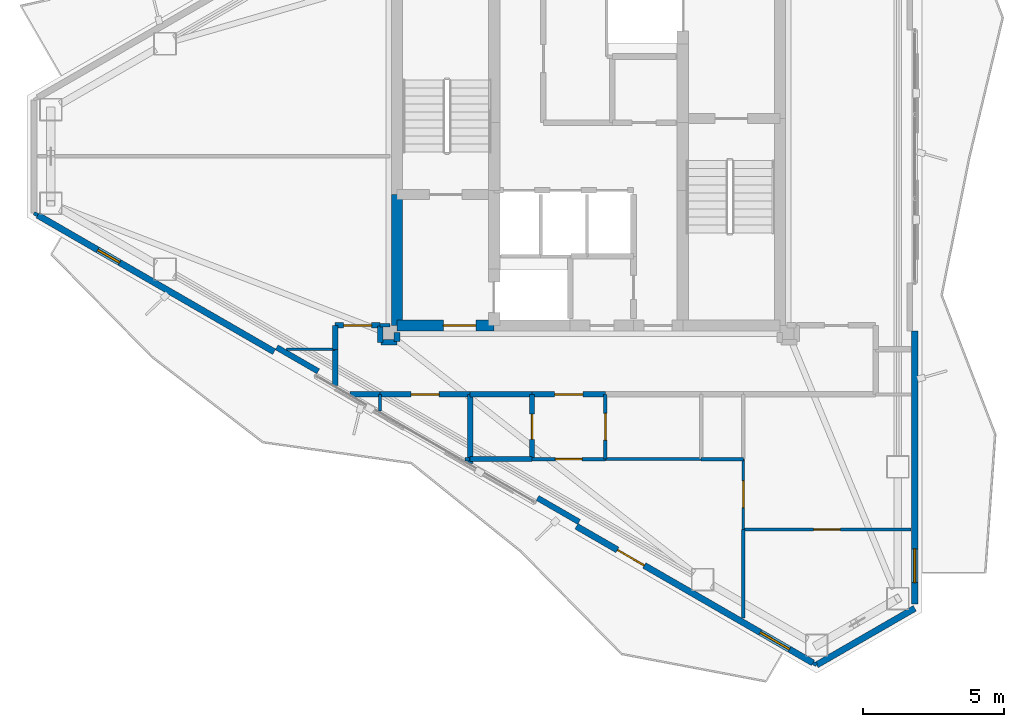
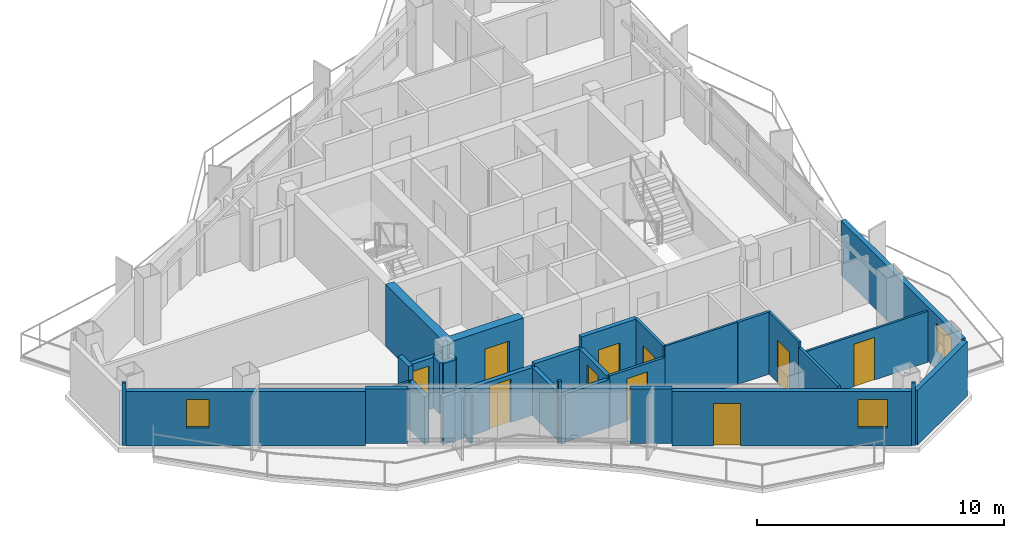
# One storey, part 16 of 22: 34 walls, 10 doors, 3 windows, 13 openings.
"""IFC4 building model written with IfcOpenShell, lengths in metres."""

from ifc_helpers import new_model, si_unit, direction, frame, frame_2d, origin, place, context, subcontext, project, spatial, rectangle, extrude, material, layer, layer_set, type_object, element, fill, save


model = new_model("IFC4")

# Units and contexts
model_context = context("Model", 3, precision=1e-05, world=origin(), true_north=direction((0.0, 1.0)))
body_context = subcontext(model_context, "Body", "Model", "MODEL_VIEW")
ifc_project = project(units=[si_unit("LENGTHUNIT", "METRE"), si_unit("AREAUNIT", "SQUARE_METRE"), si_unit("VOLUMEUNIT", "CUBIC_METRE"), si_unit("PLANEANGLEUNIT", "RADIAN"), si_unit("MASSUNIT", "GRAM", prefix="KILO")], contexts=[model_context])

# Site, building, storey
site_placement = place(None, origin())
site = spatial("IfcSite", under=ifc_project, at=site_placement, CompositionType="ELEMENT")
building_placement = place(site_placement, origin())
building = spatial("IfcBuilding", under=site, at=building_placement, Name="Mersakhor Tower and Convention Hall", CompositionType="ELEMENT")
storey_placement = place(building_placement, frame((0.0, 0.0, 208.5)))
storey = spatial("IfcBuildingStorey", under=building, at=storey_placement, Name="L58", CompositionType="ELEMENT", Elevation=208.5)

# Wall
ifc_material_1 = material(Name="Precast concrete C40/50", Category="concrete")
ifc_layer_1 = layer(ifc_material_1, 0.22509765625)
ifc_layer_set_1 = layer_set([ifc_layer_1], Name="Precast concrete C40/50")
wall_type_1 = type_object("IfcWallType", Name="WL-EXT-225", PredefinedType="SOLIDWALL", material=ifc_layer_set_1)
wall_1_placement = place(storey_placement, frame((40.58837890625, 10.70166015625, 0.0), z_axis=(0.0, 0.0, 1.0), x_axis=(-0.866023907196, -0.500002592159, 0.0)))
element("IfcWall", 1, at=wall_1_placement, inside=storey, type_object=wall_type_1, Name="L58 Chamfer Braced Spandrel Wall C2", PredefinedType="SOLIDWALL", context=body_context, shape_type="SweptSolid", body=[
    extrude(rectangle(XDim=4.0234375, YDim=0.22509765625, at=frame_2d((2.01171875, 0.0))), origin(), (0.0, 0.0, 1.0), 2.68994140625),
])

# Wall, opening, window
wall_2_placement = place(storey_placement, frame((40.58837890625, 20.550537109375, 0.0), z_axis=(0.0, 0.0, 1.0), x_axis=(0.0, -1.0, 0.0)))
wall_2 = element("IfcWall", 2, at=wall_2_placement, inside=storey, type_object=wall_type_1, Name="L58 Exterior Facade Wall F2-B3", PredefinedType="SOLIDWALL", context=body_context, shape_type="SweptSolid", body=[
    extrude(rectangle(XDim=9.698974609375, YDim=0.22509765625, at=frame_2d((4.849609375, 0.0))), origin(), (0.0, 0.0, 1.0), 2.68994140625),
])
opening_1_placement = place(wall_2_placement, frame((7.735107421875, 0.0, 0.89990234375)))
opening_1 = element("IfcOpeningElement", 3, at=opening_1_placement, cuts=wall_2, Name="Opening W-01", PredefinedType="OPENING", context=body_context, shape_type="SweptSolid", body=[
    extrude(rectangle(XDim=1.199951171875, YDim=1.39990234375, at=frame_2d((0.60009765625, 0.699951171875))), frame((0.0, 0.12255859375, 0.0), z_axis=(0.0, -1.0, 0.0), x_axis=(1.0, 0.0, 0.0)), (0.0, 0.0, 1.0), 0.2451171875),
])
ifc_material_2 = material(Name="Dark solar low-E glazed aluminium window", Category="aluminium")
window_type_1 = type_object("IfcWindowType", Name="WN-RES-120x150", PartitioningType="SINGLE_PANEL", PredefinedType="WINDOW", material=ifc_material_2)
window_1_placement = place(opening_1_placement, origin())
window_1 = element("IfcWindow", 4, at=window_1_placement, inside=storey, type_object=window_type_1, Name="L58 Bedroom Facade Window F2-B3-1", OverallHeight=1.39990234375, OverallWidth=1.199951171875, PartitioningType="SINGLE_PANEL", PredefinedType="WINDOW", context=body_context, shape_type="SweptSolid", body=[
    extrude(rectangle(XDim=1.199951171875, YDim=1.39990234375, at=frame_2d((0.60009765625, 0.699951171875))), frame((0.0, 0.030029296875, 0.0), z_axis=(0.0, -1.0, 0.0), x_axis=(1.0, 0.0, 0.0)), (0.0, 0.0, 1.0), 0.06005859375),
])
fill(opening_1, window_1)

# Wall, openings, door, window
wall_3_placement = place(storey_placement, frame((36.97412109375, 8.764892578125, 0.0), z_axis=(0.0, 0.0, 1.0), x_axis=(-0.866016233231, 0.500015883528, 0.0)))
wall_3 = element("IfcWall", 5, at=wall_3_placement, inside=storey, type_object=wall_type_1, Name="L58 Exterior Facade Wall F3-B1", PredefinedType="SOLIDWALL", context=body_context, shape_type="SweptSolid", body=[
    extrude(rectangle(XDim=9.698974609375, YDim=0.22509765625, at=frame_2d((4.849609375, 0.0))), origin(), (0.0, 0.0, 1.0), 2.68994140625),
])
opening_2_placement = place(wall_3_placement, frame((6.9189453125, 0.0, 0.0)))
opening_2 = element("IfcOpeningElement", 6, at=opening_2_placement, cuts=wall_3, Name="Opening BD-02", PredefinedType="OPENING", context=body_context, shape_type="SweptSolid", body=[
    extrude(rectangle(XDim=1.10009765625, YDim=2.10009765625, at=frame_2d((0.550048828125, 1.050048828125))), frame((0.0, 0.12255859375, 0.0), z_axis=(0.0, -1.0, 0.0), x_axis=(1.0, 0.0, 0.0)), (0.0, 0.0, 1.0), 0.2451171875),
])
opening_3_placement = place(wall_3_placement, frame((0.966064453125, 0.0, 0.89990234375)))
opening_3 = element("IfcOpeningElement", 7, at=opening_3_placement, cuts=wall_3, Name="Opening W-01", PredefinedType="OPENING", context=body_context, shape_type="SweptSolid", body=[
    extrude(rectangle(XDim=1.199951171875, YDim=1.39990234375, at=frame_2d((0.60009765625, 0.699951171875))), frame((0.0, 0.12255859375, 0.0), z_axis=(0.0, -1.0, 0.0), x_axis=(1.0, 0.0, 0.0)), (0.0, 0.0, 1.0), 0.2451171875),
])
ifc_material_3 = material(Name="Thermally broken dark aluminium and safety glass", Category="aluminium")
door_type_1 = type_object("IfcDoorType", Name="DR-BAL-110x210", OperationType="NOTDEFINED", PredefinedType="DOOR", material=ifc_material_3)
door_1_placement = place(opening_2_placement, origin())
door_1 = element("IfcDoor", 8, at=door_1_placement, inside=storey, type_object=door_type_1, Name="L58 Balcony Terrace Door F3-B1", OperationType="SINGLE_SWING_RIGHT", OverallHeight=2.10009765625, OverallWidth=1.10009765625, PredefinedType="DOOR", context=body_context, shape_type="SweptSolid", body=[
    extrude(rectangle(XDim=1.10009765625, YDim=2.10009765625, at=frame_2d((0.550048828125, 1.050048828125))), frame((0.0, 0.02490234375, 0.0), z_axis=(0.0, -1.0, 0.0), x_axis=(1.0, 0.0, 0.0)), (0.0, 0.0, 1.0), 0.050048828125),
])
fill(opening_2, door_1)
window_2_placement = place(opening_3_placement, origin())
window_2 = element("IfcWindow", 9, at=window_2_placement, inside=storey, type_object=window_type_1, Name="L58 Bedroom Facade Window F3-B1-1", OverallHeight=1.39990234375, OverallWidth=1.199951171875, PartitioningType="SINGLE_PANEL", PredefinedType="WINDOW", context=body_context, shape_type="SweptSolid", body=[
    extrude(rectangle(XDim=1.199951171875, YDim=1.39990234375, at=frame_2d((0.60009765625, 0.699951171875))), frame((0.0, 0.030029296875, 0.0), z_axis=(0.0, -1.0, 0.0), x_axis=(1.0, 0.0, 0.0)), (0.0, 0.0, 1.0), 0.06005859375),
])
fill(opening_3, window_2)

# Wall, opening, window
wall_4_placement = place(storey_placement, frame((17.8369140625, 19.81396484375, 0.0), z_axis=(0.0, 0.0, 1.0), x_axis=(-0.866027133173, 0.499997004599, 0.0)))
wall_4 = element("IfcWall", 10, at=wall_4_placement, inside=storey, type_object=wall_type_1, Name="L58 Exterior Facade Wall F3-B3", PredefinedType="SOLIDWALL", context=body_context, shape_type="SweptSolid", body=[
    extrude(rectangle(XDim=9.69873046875, YDim=0.22509765625, at=frame_2d((4.849365234375, 0.0))), origin(), (0.0, 0.0, 1.0), 2.68994140625),
])
opening_4_placement = place(wall_4_placement, frame((6.3349609375, 0.0, 0.89990234375)))
opening_4 = element("IfcOpeningElement", 11, at=opening_4_placement, cuts=wall_4, Name="Opening W-06", PredefinedType="OPENING", context=body_context, shape_type="SweptSolid", body=[
    extrude(rectangle(XDim=0.89990234375, YDim=1.39990234375, at=frame_2d((0.449951171875, 0.699951171875))), frame((0.0, 0.12255859375, 0.0), z_axis=(0.0, -1.0, 0.0), x_axis=(1.0, 0.0, 0.0)), (0.0, 0.0, 1.0), 0.2451171875),
])
ifc_material_4 = material(Name="Dark solar low-E glazed aluminium window", Category="aluminium")
window_type_2 = type_object("IfcWindowType", Name="WN-STD-090x140", PartitioningType="SINGLE_PANEL", PredefinedType="WINDOW", material=ifc_material_4)
window_3_placement = place(opening_4_placement, origin())
window_3 = element("IfcWindow", 12, at=window_3_placement, inside=storey, type_object=window_type_2, Name="L58 Facade Punched Window F3-B3", OverallHeight=1.39990234375, OverallWidth=0.89990234375, PartitioningType="SINGLE_PANEL", PredefinedType="WINDOW", context=body_context, shape_type="SweptSolid", body=[
    extrude(rectangle(XDim=0.89990234375, YDim=1.39990234375, at=frame_2d((0.449951171875, 0.699951171875))), frame((0.0, 0.030029296875, 0.0), z_axis=(0.0, -1.0, 0.0), x_axis=(1.0, 0.0, 0.0)), (0.0, 0.0, 1.0), 0.06005859375),
])
fill(opening_4, window_3)

# Walls
ifc_material_5 = material(Name="Precast concrete C40/50", Category="concrete")
ifc_layer_2 = layer(ifc_material_5, 0.199951171875)
ifc_layer_set_2 = layer_set([ifc_layer_2], Name="Precast concrete C40/50")
wall_type_2 = type_object("IfcWallType", Name="WL-PAR-200", PredefinedType="PARAPET", material=ifc_layer_set_2)
wall_5_placement = place(storey_placement, frame((28.664794921875, 13.770263671875, 0.0), z_axis=(0.0, 0.0, 1.0), x_axis=(-0.866025371046, 0.500000056704, 0.0)))
element("IfcWall", 13, at=wall_5_placement, inside=storey, type_object=wall_type_2, Name="L58 Column Pier Cladding Wall F3-C1", PredefinedType="PARAPET", context=body_context, shape_type="SweptSolid", body=[
    extrude(rectangle(XDim=1.7001953125, YDim=0.199951171875, at=frame_2d((0.85009765625, 0.0))), origin(), (0.0, 0.0, 1.0), 2.68994140625),
])
wall_6_placement = place(storey_placement, frame((19.399169921875, 19.119873046875, 0.0), z_axis=(0.0, 0.0, 1.0), x_axis=(-0.86605165483, 0.499954529098, 0.0)))
element("IfcWall", 14, at=wall_6_placement, inside=storey, type_object=wall_type_2, Name="L58 Column Pier Cladding Wall F3-C2", PredefinedType="PARAPET", context=body_context, shape_type="SweptSolid", body=[
    extrude(rectangle(XDim=1.699951171875, YDim=0.199951171875, at=frame_2d((0.85009765625, 0.0))), origin(), (0.0, 0.0, 1.0), 2.68994140625),
])

# Wall, opening, door
ifc_material_6 = material(Name="Moisture-resistant acoustic drywall studwork", Category="other")
ifc_layer_3 = layer(ifc_material_6, 0.175048828125)
ifc_layer_set_3 = layer_set([ifc_layer_3], Name="Moisture-resistant acoustic drywall studwork")
wall_type_3 = type_object("IfcWallType", Name="WL-PLM-175", PredefinedType="PLUMBINGWALL", material=ifc_layer_set_3)
wall_7_placement = place(storey_placement, frame((27.0, 16.0, 0.0), z_axis=(0.0, 0.0, 1.0), x_axis=(0.0, 1.0, 0.0)))
wall_7 = element("IfcWall", 15, at=wall_7_placement, inside=storey, type_object=wall_type_3, Name="L58 Interior Partition Wall P-058", PredefinedType="PLUMBINGWALL", context=body_context, shape_type="SweptSolid", body=[
    extrude(rectangle(XDim=2.300048828125, YDim=0.175048828125, at=frame_2d((1.14990234375, 0.0))), origin(), (0.0, 0.0, 1.0), 2.518310546875),
])
opening_5_placement = place(wall_7_placement, frame((0.699951171875, 0.0, 0.0)))
opening_5 = element("IfcOpeningElement", 16, at=opening_5_placement, cuts=wall_7, Name="Opening WD-01", PredefinedType="OPENING", context=body_context, shape_type="SweptSolid", body=[
    extrude(rectangle(XDim=0.89990234375, YDim=2.10009765625, at=frame_2d((0.449951171875, 1.050048828125))), frame((0.0, 0.097412109375, 0.0), z_axis=(0.0, -1.0, 0.0), x_axis=(1.0, 0.0, 0.0)), (0.0, 0.0, 1.0), 0.195068359375),
])
ifc_material_7 = material(Name="Solid-core hardwood leaf in painted steel frame", Category="steel")
door_type_2 = type_object("IfcDoorType", Name="DR-INT-WET-090x210", OperationType="NOTDEFINED", PredefinedType="DOOR", material=ifc_material_7)
door_2_placement = place(opening_5_placement, origin())
door_2 = element("IfcDoor", 17, at=door_2_placement, inside=storey, type_object=door_type_2, Name="L58 L58 Flat S4 Apartment Hall to L58 Flat S4 Bathroom Door", OperationType="SINGLE_SWING_RIGHT", OverallHeight=2.10009765625, OverallWidth=0.89990234375, PredefinedType="DOOR", context=body_context, shape_type="SweptSolid", body=[
    extrude(rectangle(XDim=0.89990234375, YDim=2.10009765625, at=frame_2d((0.449951171875, 1.050048828125))), frame((0.0, 0.02490234375, 0.0), z_axis=(0.0, -1.0, 0.0), x_axis=(1.0, 0.0, 0.0)), (0.0, 0.0, 1.0), 0.050048828125),
])
fill(opening_5, door_2)

# Walls
wall_8_placement = place(storey_placement, frame((27.0, 16.0, 0.0), z_axis=(0.0, 0.0, 1.0), x_axis=(-1.0, 0.0, 0.0)))
element("IfcWall", 18, at=wall_8_placement, inside=storey, type_object=wall_type_3, Name="L58 Interior Partition Wall P-064", PredefinedType="PLUMBINGWALL", context=body_context, shape_type="SweptSolid", body=[
    extrude(rectangle(XDim=2.199951171875, YDim=0.175048828125, at=frame_2d((1.10009765625, 0.0))), origin(), (0.0, 0.0, 1.0), 2.364990234375),
])
ifc_material_8 = material(Name="Lightweight gypsum partition", Category="other")
ifc_layer_4 = layer(ifc_material_8, 0.10009765625)
ifc_layer_set_4 = layer_set([ifc_layer_4], Name="Lightweight gypsum partition")
wall_type_4 = type_object("IfcWallType", Name="WL-PRT-100", PredefinedType="PARTITIONING", material=ifc_layer_set_4)
wall_9_placement = place(storey_placement, frame((33.0, 16.0, 0.0), z_axis=(0.0, 0.0, 1.0), x_axis=(-1.0, 0.0, 0.0)))
element("IfcWall", 19, at=wall_9_placement, inside=storey, type_object=wall_type_4, Name="L58 Interior Partition Wall P-066", PredefinedType="PARTITIONING", context=body_context, shape_type="SweptSolid", body=[
    extrude(rectangle(XDim=3.39990234375, YDim=0.10009765625, at=frame_2d((1.699951171875, 0.0))), origin(), (0.0, 0.0, 1.0), 3.070068359375),
])
wall_10_placement = place(storey_placement, frame((20.0, 19.89990234375, 0.0), z_axis=(0.0, 0.0, 1.0), x_axis=(-1.0, 0.0, 0.0)))
element("IfcWall", 20, at=wall_10_placement, inside=storey, type_object=wall_type_4, Name="L58 Interior Partition Wall P-074", PredefinedType="PARTITIONING", context=body_context, shape_type="SweptSolid", body=[
    extrude(rectangle(XDim=1.726806640625, YDim=0.10009765625, at=frame_2d((0.86328125, 0.0))), origin(), (0.0, 0.0, 1.0), 2.364990234375),
])
wall_11_placement = place(storey_placement, frame((21.60009765625, 17.715087890625, 0.0), z_axis=(0.0, 0.0, 1.0), x_axis=(0.0, 1.0, 0.0)))
element("IfcWall", 21, at=wall_11_placement, inside=storey, type_object=wall_type_4, Name="L58 Interior Partition Wall P-090", PredefinedType="PARTITIONING", context=body_context, shape_type="SweptSolid", body=[
    extrude(rectangle(XDim=0.5849609375, YDim=0.10009765625, at=frame_2d((0.29248046875, 0.0))), origin(), (0.0, 0.0, 1.0), 2.364990234375),
])

# Wall, opening, door
wall_12_placement = place(storey_placement, frame((34.5, 16.0, 0.0), z_axis=(0.0, 0.0, 1.0), x_axis=(0.0, -1.0, 0.0)))
wall_12 = element("IfcWall", 22, at=wall_12_placement, inside=storey, type_object=wall_type_4, Name="L58 Interior Partition Wall P-092", PredefinedType="PARTITIONING", context=body_context, shape_type="SweptSolid", body=[
    extrude(rectangle(XDim=2.5, YDim=0.10009765625, at=frame_2d((1.25, 0.0))), origin(), (0.0, 0.0, 1.0), 3.070068359375),
])
opening_6_placement = place(wall_12_placement, frame((0.77490234375, 0.0, 0.0)))
opening_6 = element("IfcOpeningElement", 23, at=opening_6_placement, cuts=wall_12, Name="Opening RD-01", PredefinedType="OPENING", context=body_context, shape_type="SweptSolid", body=[
    extrude(rectangle(XDim=0.949951171875, YDim=2.10009765625, at=frame_2d((0.47509765625, 1.050048828125))), frame((0.0, 0.06005859375, 0.0), z_axis=(0.0, -1.0, 0.0), x_axis=(1.0, 0.0, 0.0)), (0.0, 0.0, 1.0), 0.1201171875),
])
ifc_material_9 = material(Name="Solid-core hardwood leaf in painted steel frame", Category="steel")
door_type_3 = type_object("IfcDoorType", Name="DR-INT-RM-095x210", OperationType="NOTDEFINED", PredefinedType="DOOR", material=ifc_material_9)
door_3_placement = place(opening_6_placement, origin())
door_3 = element("IfcDoor", 24, at=door_3_placement, inside=storey, type_object=door_type_3, Name="L58 L58 Flat S4 Bedroom 1 to L58 Flat S4 Study Room Door", OperationType="SINGLE_SWING_LEFT", OverallHeight=2.10009765625, OverallWidth=0.949951171875, PredefinedType="DOOR", context=body_context, shape_type="SweptSolid", body=[
    extrude(rectangle(XDim=0.949951171875, YDim=2.10009765625, at=frame_2d((0.47509765625, 1.050048828125))), frame((0.0, 0.02490234375, 0.0), z_axis=(0.0, -1.0, 0.0), x_axis=(1.0, 0.0, 0.0)), (0.0, 0.0, 1.0), 0.050048828125),
])
fill(opening_6, door_3)

wall_13_placement = place(storey_placement, frame((34.5, 13.5, 0.0), z_axis=(0.0, 0.0, 1.0), x_axis=(1.0, 0.0, 0.0)))
wall_13 = element("IfcWall", 25, at=wall_13_placement, inside=storey, type_object=wall_type_4, Name="L58 Interior Partition Wall P-094", PredefinedType="PARTITIONING", context=body_context, shape_type="SweptSolid", body=[
    extrude(rectangle(XDim=5.951904296875, YDim=0.10009765625, at=frame_2d((2.97607421875, 0.0))), origin(), (0.0, 0.0, 1.0), 2.518310546875),
])
opening_7_placement = place(wall_13_placement, frame((2.5009765625, 0.0, 0.0)))
opening_7 = element("IfcOpeningElement", 26, at=opening_7_placement, cuts=wall_13, Name="Opening RD-01", PredefinedType="OPENING", context=body_context, shape_type="SweptSolid", body=[
    extrude(rectangle(XDim=0.949951171875, YDim=2.10009765625, at=frame_2d((0.47509765625, 1.050048828125))), frame((0.0, 0.06005859375, 0.0), z_axis=(0.0, -1.0, 0.0), x_axis=(1.0, 0.0, 0.0)), (0.0, 0.0, 1.0), 0.1201171875),
])
door_4_placement = place(opening_7_placement, origin())
door_4 = element("IfcDoor", 27, at=door_4_placement, inside=storey, type_object=door_type_3, Name="L58 L58 Flat S4 Bedroom 2 to L58 Flat S4 Study Room Door", OperationType="SINGLE_SWING_RIGHT", OverallHeight=2.10009765625, OverallWidth=0.949951171875, PredefinedType="DOOR", context=body_context, shape_type="SweptSolid", body=[
    extrude(rectangle(XDim=0.949951171875, YDim=2.10009765625, at=frame_2d((0.47509765625, 1.050048828125))), frame((0.0, 0.02490234375, 0.0), z_axis=(0.0, -1.0, 0.0), x_axis=(1.0, 0.0, 0.0)), (0.0, 0.0, 1.0), 0.050048828125),
])
fill(opening_7, door_4)

ifc_material_10 = material(Name="Gypsum board acoustic partition", Category="other")
ifc_layer_5 = layer(ifc_material_10, 0.125)
ifc_layer_set_5 = layer_set([ifc_layer_5], Name="Gypsum board acoustic partition")
wall_type_5 = type_object("IfcWallType", Name="WL-PRT-125", PredefinedType="PARTITIONING", material=ifc_layer_set_5)
wall_14_placement = place(storey_placement, frame((29.60009765625, 16.0, 0.0), z_axis=(0.0, 0.0, 1.0), x_axis=(-1.0, 0.0, 0.0)))
wall_14 = element("IfcWall", 28, at=wall_14_placement, inside=storey, type_object=wall_type_5, Name="L58 Interior Partition Wall P-057", PredefinedType="PARTITIONING", context=body_context, shape_type="SweptSolid", body=[
    extrude(rectangle(XDim=2.60009765625, YDim=0.125, at=frame_2d((1.300048828125, 0.0))), origin(), (0.0, 0.0, 1.0), 2.518310546875),
])
opening_8_placement = place(wall_14_placement, frame((0.824951171875, 0.0, 0.0)))
opening_8 = element("IfcOpeningElement", 29, at=opening_8_placement, cuts=wall_14, Name="Opening RD-01", PredefinedType="OPENING", context=body_context, shape_type="SweptSolid", body=[
    extrude(rectangle(XDim=0.949951171875, YDim=2.10009765625, at=frame_2d((0.47509765625, 1.050048828125))), frame((0.0, 0.072509765625, 0.0), z_axis=(0.0, -1.0, 0.0), x_axis=(1.0, 0.0, 0.0)), (0.0, 0.0, 1.0), 0.14501953125),
])
door_5_placement = place(opening_8_placement, origin())
door_5 = element("IfcDoor", 30, at=door_5_placement, inside=storey, type_object=door_type_3, Name="L58 L58 Flat S4 Apartment Hall to L58 Flat S4 Bedroom 1 Door", OperationType="SINGLE_SWING_RIGHT", OverallHeight=2.10009765625, OverallWidth=0.949951171875, PredefinedType="DOOR", context=body_context, shape_type="SweptSolid", body=[
    extrude(rectangle(XDim=0.949951171875, YDim=2.10009765625, at=frame_2d((0.47509765625, 1.050048828125))), frame((0.0, 0.02490234375, 0.0), z_axis=(0.0, -1.0, 0.0), x_axis=(1.0, 0.0, 0.0)), (0.0, 0.0, 1.0), 0.050048828125),
])
fill(opening_8, door_5)

wall_15_placement = place(storey_placement, frame((29.60009765625, 18.300048828125, 0.0), z_axis=(0.0, 0.0, 1.0), x_axis=(0.0, -1.0, 0.0)))
wall_15 = element("IfcWall", 31, at=wall_15_placement, inside=storey, type_object=wall_type_5, Name="L58 Interior Partition Wall P-059", PredefinedType="PARTITIONING", context=body_context, shape_type="SweptSolid", body=[
    extrude(rectangle(XDim=2.300048828125, YDim=0.125, at=frame_2d((1.14990234375, 0.0))), origin(), (0.0, 0.0, 1.0), 3.070068359375),
])
opening_9_placement = place(wall_15_placement, frame((0.675048828125, 0.0, 0.0)))
opening_9 = element("IfcOpeningElement", 32, at=opening_9_placement, cuts=wall_15, Name="Opening RD-01", PredefinedType="OPENING", context=body_context, shape_type="SweptSolid", body=[
    extrude(rectangle(XDim=0.949951171875, YDim=2.10009765625, at=frame_2d((0.47509765625, 1.050048828125))), frame((0.0, 0.072509765625, 0.0), z_axis=(0.0, -1.0, 0.0), x_axis=(1.0, 0.0, 0.0)), (0.0, 0.0, 1.0), 0.14501953125),
])
door_6_placement = place(opening_9_placement, origin())
door_6 = element("IfcDoor", 33, at=door_6_placement, inside=storey, type_object=door_type_3, Name="L58 L58 Flat S4 Apartment Hall to L58 Flat S4 Kitchen Door", OperationType="SINGLE_SWING_LEFT", OverallHeight=2.10009765625, OverallWidth=0.949951171875, PredefinedType="DOOR", context=body_context, shape_type="SweptSolid", body=[
    extrude(rectangle(XDim=0.949951171875, YDim=2.10009765625, at=frame_2d((0.47509765625, 1.050048828125))), frame((0.0, 0.02490234375, 0.0), z_axis=(0.0, -1.0, 0.0), x_axis=(1.0, 0.0, 0.0)), (0.0, 0.0, 1.0), 0.050048828125),
])
fill(opening_9, door_6)

# Walls
wall_16_placement = place(storey_placement, frame((21.949951171875, 20.75, 0.0), z_axis=(0.0, 0.0, 1.0), x_axis=(-1.0, 0.0, 0.0)))
element("IfcWall", 34, at=wall_16_placement, inside=storey, type_object=wall_type_5, Name="L58 Interior Partition Wall P-073", PredefinedType="PARTITIONING", context=body_context, shape_type="SweptSolid", body=[
    extrude(rectangle(XDim=0.349853515625, YDim=0.125, at=frame_2d((0.1748046875, 0.0))), origin(), (0.0, 0.0, 1.0), 2.594970703125),
])
wall_17_placement = place(storey_placement, frame((9.437255859375, 24.662841796875, 0.0), z_axis=(0.0, 0.0, 1.0), x_axis=(-0.866239593359, 0.499628829129, 0.0)))
element("IfcWall", 35, at=wall_17_placement, inside=storey, type_object=wall_type_5, Name="L58 Interior Partition Wall P-075", PredefinedType="PARTITIONING", context=body_context, shape_type="SweptSolid", body=[
    extrude(rectangle(XDim=0.150390625, YDim=0.125, at=frame_2d((0.0751953125, 0.0))), origin(), (0.0, 0.0, 1.0), 3.070068359375),
])
wall_18_placement = place(storey_placement, frame((24.77001953125, 16.0, 0.0), z_axis=(0.0, 0.0, 1.0), x_axis=(-1.0, 0.0, 0.0)))
element("IfcWall", 36, at=wall_18_placement, inside=storey, type_object=wall_type_5, Name="L58 Interior Partition Wall P-089", PredefinedType="PARTITIONING", context=body_context, shape_type="SweptSolid", body=[
    extrude(rectangle(XDim=0.1533203125, YDim=0.125, at=frame_2d((0.07666015625, 0.0))), origin(), (0.0, 0.0, 1.0), 3.070068359375),
])
wall_19_placement = place(storey_placement, frame((33.0, 16.0, 0.0), z_axis=(0.0, 0.0, 1.0), x_axis=(1.0, 0.0, 0.0)))
element("IfcWall", 37, at=wall_19_placement, inside=storey, type_object=wall_type_5, Name="L58 Interior Partition Wall P-091", PredefinedType="PARTITIONING", context=body_context, shape_type="SweptSolid", body=[
    extrude(rectangle(XDim=1.5, YDim=0.125, at=frame_2d((0.75, 0.0))), origin(), (0.0, 0.0, 1.0), 3.070068359375),
])
wall_20_placement = place(storey_placement, frame((34.5, 13.5, 0.0), z_axis=(0.0, 0.0, 1.0), x_axis=(0.0, -1.0, 0.0)))
element("IfcWall", 38, at=wall_20_placement, inside=storey, type_object=wall_type_5, Name="L58 Interior Partition Wall P-093", PredefinedType="PARTITIONING", context=body_context, shape_type="SweptSolid", body=[
    extrude(rectangle(XDim=3.14892578125, YDim=0.125, at=frame_2d((1.574462890625, 0.0))), origin(), (0.0, 0.0, 1.0), 2.794677734375),
])
wall_21_placement = place(storey_placement, frame((37.10400390625, 8.68994140625, 0.0), z_axis=(0.0, 0.0, 1.0), x_axis=(-0.866131372301, 0.499816412211, 0.0)))
element("IfcWall", 39, at=wall_21_placement, inside=storey, type_object=wall_type_5, Name="L58 Interior Partition Wall P-095", PredefinedType="PARTITIONING", context=body_context, shape_type="SweptSolid", body=[
    extrude(rectangle(XDim=0.14990234375, YDim=0.125, at=frame_2d((0.074951171875, 0.0))), origin(), (0.0, 0.0, 1.0), 3.070068359375),
])

# Wall, opening, door
ifc_material_11 = material(Name="Acoustic concrete blockwork and gypsum board", Category="masonry")
ifc_layer_6 = layer(ifc_material_11, 0.199951171875)
ifc_layer_set_6 = layer_set([ifc_layer_6], Name="Acoustic concrete blockwork and gypsum board")
wall_type_6 = type_object("IfcWallType", Name="WL-PRT-200", PredefinedType="PARTITIONING", material=ifc_layer_set_6)
wall_22_placement = place(storey_placement, frame((20.0, 20.75, 0.0), z_axis=(0.0, 0.0, 1.0), x_axis=(1.0, 0.0, 0.0)))
wall_22 = element("IfcWall", 40, at=wall_22_placement, inside=storey, type_object=wall_type_6, Name="L58 Interior Partition Wall P-035", PredefinedType="PARTITIONING", context=body_context, shape_type="SweptSolid", body=[
    extrude(rectangle(XDim=1.60009765625, YDim=0.199951171875, at=frame_2d((0.800048828125, 0.0))), origin(), (0.0, 0.0, 1.0), 2.518310546875),
])
opening_10_placement = place(wall_22_placement, frame((0.300048828125, 0.0, 0.0)))
opening_10 = element("IfcOpeningElement", 41, at=opening_10_placement, cuts=wall_22, Name="Opening FD-01", PredefinedType="OPENING", context=body_context, shape_type="SweptSolid", body=[
    extrude(rectangle(XDim=1.0, YDim=2.14990234375, at=frame_2d((0.5, 1.074951171875))), frame((0.0, 0.10986328125, 0.0), z_axis=(0.0, -1.0, 0.0), x_axis=(1.0, 0.0, 0.0)), (0.0, 0.0, 1.0), 0.219970703125),
])
ifc_material_12 = material(Name="Fire-rated hardwood leaf and painted steel frame", Category="steel")
door_type_4 = type_object("IfcDoorType", Name="DR-INT-FLT-100x215", OperationType="NOTDEFINED", PredefinedType="DOOR", material=ifc_material_12)
door_7_placement = place(opening_10_placement, origin())
door_7 = element("IfcDoor", 42, at=door_7_placement, inside=storey, type_object=door_type_4, Name="L58 Residential South Gallery Corridor to L58 West Wing Residents Dining Room Door", OperationType="SINGLE_SWING_RIGHT", OverallHeight=2.14990234375, OverallWidth=1.0, PredefinedType="DOOR", context=body_context, shape_type="SweptSolid", body=[
    extrude(rectangle(XDim=1.0, YDim=2.14990234375, at=frame_2d((0.5, 1.074951171875))), frame((0.0, 0.02490234375, 0.0), z_axis=(0.0, -1.0, 0.0), x_axis=(1.0, 0.0, 0.0)), (0.0, 0.0, 1.0), 0.050048828125),
])
fill(opening_10, door_7)

# Walls
for number, where, z_axis, x_axis, name in (
    (43, (21.60009765625, 20.719970703125, 0.0), (0.0, 0.0, 1.0), (0.0, -1.0, 0.0), "L58 Interior Partition Wall P-036"),
    (44, (21.6298828125, 20.14990234375, 0.0), (0.0, 0.0, 1.0), (1.0, 0.0, 0.0), "L58 Interior Partition Wall P-037"),
):
    element("IfcWall", number, at=place(storey_placement, frame(where, z_axis=z_axis, x_axis=x_axis)), inside=storey, type_object=wall_type_6, Name=name, PredefinedType="PARTITIONING", context=body_context, shape_type="SweptSolid", body=[
        extrude(rectangle(XDim=0.570068359375, YDim=0.199951171875, at=frame_2d((0.28515625, 0.0))), origin(), (0.0, 0.0, 1.0), 2.518310546875),
    ])
wall_23_placement = place(storey_placement, frame((22.199951171875, 20.179931640625, 0.0), z_axis=(0.0, 0.0, 1.0), x_axis=(0.0, 1.0, 0.0)))
element("IfcWall", 45, at=wall_23_placement, inside=storey, type_object=wall_type_6, Name="L58 Interior Partition Wall P-038", PredefinedType="PARTITIONING", context=body_context, shape_type="SweptSolid", body=[
    extrude(rectangle(XDim=0.320068359375, YDim=0.199951171875, at=frame_2d((0.16015625, 0.0))), origin(), (0.0, 0.0, 1.0), 2.518310546875),
])

# Wall, opening, door
wall_24_placement = place(storey_placement, frame((29.60009765625, 18.300048828125, 0.0), z_axis=(0.0, 0.0, 1.0), x_axis=(-1.0, 0.0, 0.0)))
wall_24 = element("IfcWall", 46, at=wall_24_placement, inside=storey, type_object=wall_type_6, Name="L58 Interior Partition Wall P-048", PredefinedType="PARTITIONING", context=body_context, shape_type="SweptSolid", body=[
    extrude(rectangle(XDim=2.60009765625, YDim=0.199951171875, at=frame_2d((1.300048828125, 0.0))), origin(), (0.0, 0.0, 1.0), 3.070068359375),
])
opening_11_placement = place(wall_24_placement, frame((0.800048828125, 0.0, 0.0)))
opening_11 = element("IfcOpeningElement", 47, at=opening_11_placement, cuts=wall_24, Name="Opening FD-01", PredefinedType="OPENING", context=body_context, shape_type="SweptSolid", body=[
    extrude(rectangle(XDim=1.0, YDim=2.14990234375, at=frame_2d((0.5, 1.074951171875))), frame((0.0, 0.10986328125, 0.0), z_axis=(0.0, -1.0, 0.0), x_axis=(1.0, 0.0, 0.0)), (0.0, 0.0, 1.0), 0.219970703125),
])
door_8_placement = place(opening_11_placement, origin())
door_8 = element("IfcDoor", 48, at=door_8_placement, inside=storey, type_object=door_type_4, Name="L58 Apartment Entrance Door (Residential South Gallery Corridor to L58 Flat S4 Apartment Hall)", OperationType="SINGLE_SWING_RIGHT", OverallHeight=2.14990234375, OverallWidth=1.0, PredefinedType="DOOR", context=body_context, shape_type="SweptSolid", body=[
    extrude(rectangle(XDim=1.0, YDim=2.14990234375, at=frame_2d((0.5, 1.074951171875))), frame((0.0, 0.02490234375, 0.0), z_axis=(0.0, -1.0, 0.0), x_axis=(1.0, 0.0, 0.0)), (0.0, 0.0, 1.0), 0.050048828125),
])
fill(opening_11, door_8)

# Wall
wall_25_placement = place(storey_placement, frame((27.0, 18.300048828125, 0.0), z_axis=(0.0, 0.0, 1.0), x_axis=(-1.0, 0.0, 0.0)))
element("IfcWall", 49, at=wall_25_placement, inside=storey, type_object=wall_type_6, Name="L58 Interior Partition Wall P-049", PredefinedType="PARTITIONING", context=body_context, shape_type="SweptSolid", body=[
    extrude(rectangle(XDim=2.199951171875, YDim=0.199951171875, at=frame_2d((1.10009765625, 0.0))), origin(), (0.0, 0.0, 1.0), 2.518310546875),
])

# Wall, opening, door
wall_26_placement = place(storey_placement, frame((24.800048828125, 18.300048828125, 0.0), z_axis=(0.0, 0.0, 1.0), x_axis=(-1.0, 0.0, 0.0)))
wall_26 = element("IfcWall", 50, at=wall_26_placement, inside=storey, type_object=wall_type_6, Name="L58 Interior Partition Wall P-050", PredefinedType="PARTITIONING", context=body_context, shape_type="SweptSolid", body=[
    extrude(rectangle(XDim=3.199951171875, YDim=0.199951171875, at=frame_2d((1.60009765625, 0.0))), origin(), (0.0, 0.0, 1.0), 2.364990234375),
])
opening_12_placement = place(wall_26_placement, frame((1.10009765625, 0.0, 0.0)))
opening_12 = element("IfcOpeningElement", 51, at=opening_12_placement, cuts=wall_26, Name="Opening FD-01", PredefinedType="OPENING", context=body_context, shape_type="SweptSolid", body=[
    extrude(rectangle(XDim=1.0, YDim=2.14990234375, at=frame_2d((0.5, 1.074951171875))), frame((0.0, 0.10986328125, 0.0), z_axis=(0.0, -1.0, 0.0), x_axis=(1.0, 0.0, 0.0)), (0.0, 0.0, 1.0), 0.219970703125),
])
door_9_placement = place(opening_12_placement, origin())
door_9 = element("IfcDoor", 52, at=door_9_placement, inside=storey, type_object=door_type_4, Name="L58 Residential South Gallery Corridor to L58 Floor Shared Tea Pantry 3-1 Door", OperationType="SINGLE_SWING_RIGHT", OverallHeight=2.14990234375, OverallWidth=1.0, PredefinedType="DOOR", context=body_context, shape_type="SweptSolid", body=[
    extrude(rectangle(XDim=1.0, YDim=2.14990234375, at=frame_2d((0.5, 1.074951171875))), frame((0.0, 0.02490234375, 0.0), z_axis=(0.0, -1.0, 0.0), x_axis=(1.0, 0.0, 0.0)), (0.0, 0.0, 1.0), 0.050048828125),
])
fill(opening_12, door_9)

# Walls
wall_27_placement = place(storey_placement, frame((21.60009765625, 18.300048828125, 0.0), z_axis=(0.0, 0.0, 1.0), x_axis=(-1.0, 0.0, 0.0)))
element("IfcWall", 53, at=wall_27_placement, inside=storey, type_object=wall_type_6, Name="L58 Interior Partition Wall P-051", PredefinedType="PARTITIONING", context=body_context, shape_type="SweptSolid", body=[
    extrude(rectangle(XDim=1.07177734375, YDim=0.199951171875, at=frame_2d((0.535888671875, 0.0))), origin(), (0.0, 0.0, 1.0), 2.364990234375),
])
wall_28_placement = place(storey_placement, frame((20.0, 18.60888671875, 0.0), z_axis=(0.0, 0.0, 1.0), x_axis=(0.0, 1.0, 0.0)))
element("IfcWall", 54, at=wall_28_placement, inside=storey, type_object=wall_type_6, Name="L58 Interior Partition Wall P-052", PredefinedType="PARTITIONING", context=body_context, shape_type="SweptSolid", body=[
    extrude(rectangle(XDim=1.291015625, YDim=0.199951171875, at=frame_2d((0.6455078125, 0.0))), origin(), (0.0, 0.0, 1.0), 2.364990234375),
])
wall_29_placement = place(storey_placement, frame((20.0, 19.89990234375, 0.0), z_axis=(0.0, 0.0, 1.0), x_axis=(0.0, 1.0, 0.0)))
element("IfcWall", 55, at=wall_29_placement, inside=storey, type_object=wall_type_6, Name="L58 Interior Partition Wall P-053", PredefinedType="PARTITIONING", context=body_context, shape_type="SweptSolid", body=[
    extrude(rectangle(XDim=0.85009765625, YDim=0.199951171875, at=frame_2d((0.425048828125, 0.0))), origin(), (0.0, 0.0, 1.0), 3.070068359375),
])
wall_30_placement = place(storey_placement, frame((24.800048828125, 15.837646484375, 0.0), z_axis=(0.0, 0.0, 1.0), x_axis=(0.0, 1.0, 0.0)))
element("IfcWall", 56, at=wall_30_placement, inside=storey, type_object=wall_type_6, Name="L58 Interior Partition Wall P-065", PredefinedType="PARTITIONING", context=body_context, shape_type="SweptSolid", body=[
    extrude(rectangle(XDim=2.46240234375, YDim=0.199951171875, at=frame_2d((1.231201171875, 0.0))), origin(), (0.0, 0.0, 1.0), 2.364990234375),
])
ifc_material_13 = material(Name="Concrete C60/75", Category="concrete")
ifc_layer_7 = layer(ifc_material_13, 0.39990234375)
ifc_layer_set_7 = layer_set([ifc_layer_7], Name="Concrete C60/75")
wall_type_7 = type_object("IfcWallType", Name="WL-SHR-400", PredefinedType="SHEAR", material=ifc_layer_set_7)
wall_31_placement = place(storey_placement, frame((22.199951171875, 20.75, 0.0), z_axis=(0.0, 0.0, 1.0), x_axis=(0.0, 1.0, 0.0)))
element("IfcWall", 57, at=wall_31_placement, inside=storey, type_object=wall_type_7, Name="L58 Core Wall CW-W1", PredefinedType="SHEAR", context=body_context, shape_type="SweptSolid", body=[
    extrude(rectangle(XDim=4.64990234375, YDim=0.39990234375, at=frame_2d((2.324951171875, 0.0))), origin(), (0.0, 0.0, 1.0), 3.070068359375),
])

# Wall, opening, door
wall_32_placement = place(storey_placement, frame((25.64990234375, 20.75, 0.0), z_axis=(0.0, 0.0, 1.0), x_axis=(-1.0, 0.0, 0.0)))
wall_32 = element("IfcWall", 58, at=wall_32_placement, inside=storey, type_object=wall_type_7, Name="L58 Core Wall CW-S4", PredefinedType="SHEAR", context=body_context, shape_type="SweptSolid", body=[
    extrude(rectangle(XDim=3.449951171875, YDim=0.39990234375, at=frame_2d((1.72509765625, 0.0))), origin(), (0.0, 0.0, 1.0), 3.070068359375),
])
opening_13_placement = place(wall_32_placement, frame((0.64990234375, 0.0, 0.0)))
opening_13 = element("IfcOpeningElement", 59, at=opening_13_placement, cuts=wall_32, Name="Opening SD-01", PredefinedType="OPENING", context=body_context, shape_type="SweptSolid", body=[
    extrude(rectangle(XDim=1.14990234375, YDim=2.14990234375, at=frame_2d((0.574951171875, 1.074951171875))), frame((0.0, 0.2099609375, 0.0), z_axis=(0.0, -1.0, 0.0), x_axis=(1.0, 0.0, 0.0)), (0.0, 0.0, 1.0), 0.419921875),
])
ifc_material_14 = material(Name="Fire-rated hardwood leaf and painted steel frame", Category="steel")
door_type_5 = type_object("IfcDoorType", Name="DR-INT-STAIR-115x215", OperationType="NOTDEFINED", PredefinedType="DOOR", material=ifc_material_14)
door_10_placement = place(opening_13_placement, origin())
door_10 = element("IfcDoor", 60, at=door_10_placement, inside=storey, type_object=door_type_5, Name="L58 Firefighting Lobby West Fire Door", OperationType="SINGLE_SWING_LEFT", OverallHeight=2.14990234375, OverallWidth=1.14990234375, PredefinedType="DOOR", context=body_context, shape_type="SweptSolid", body=[
    extrude(rectangle(XDim=1.14990234375, YDim=2.14990234375, at=frame_2d((0.574951171875, 1.074951171875))), frame((0.0, 0.02490234375, 0.0), z_axis=(0.0, -1.0, 0.0), x_axis=(1.0, 0.0, 0.0)), (0.0, 0.0, 1.0), 0.050048828125),
])
fill(opening_13, door_10)

save(model, "model.ifc")
